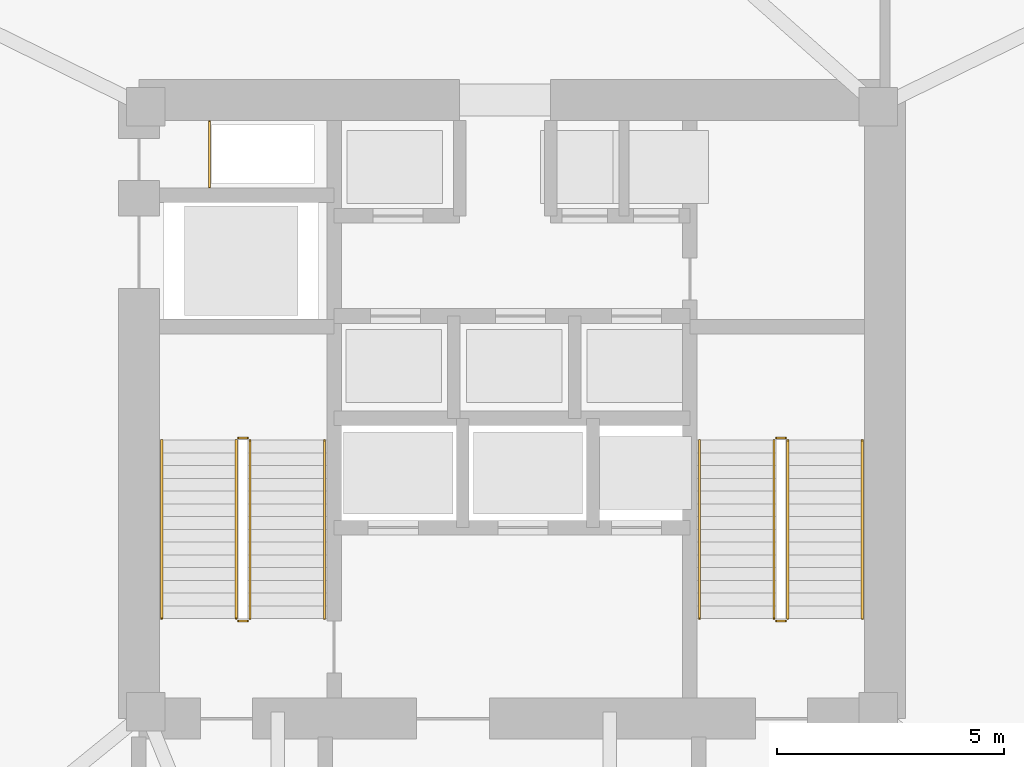
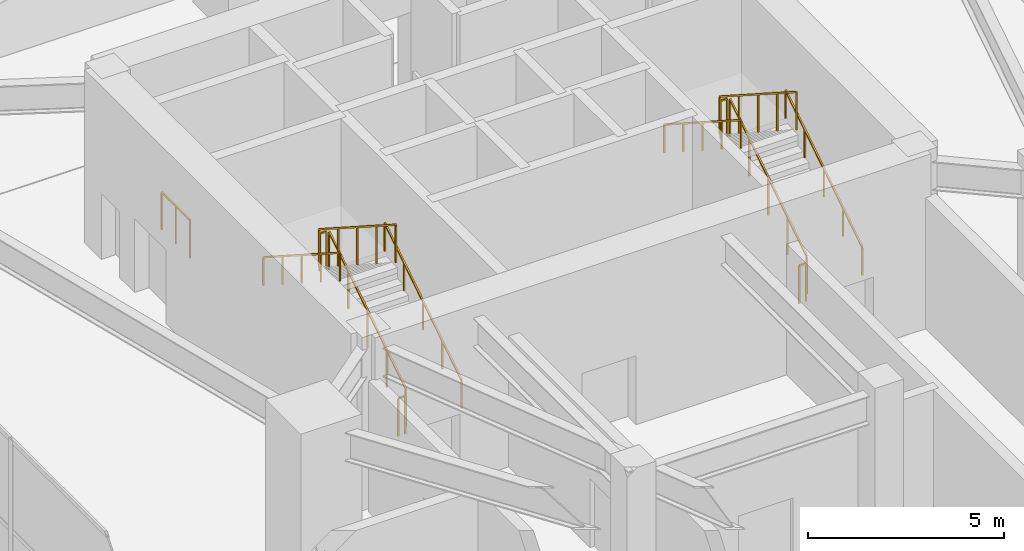
# One storey, part 17 of 19: 13 railings.
"""IFC4 building model written with IfcOpenShell, lengths in metres."""

import ifcopenshell
import ifcopenshell.guid

model = None  # the IFC model being written
_history = None  # IfcOwnerHistory: only IFC2X3 demands one
_inside = {}  # id of a spatial element -> (the spatial element, [elements in it])
_under = {}  # id of a project, library or spatial element -> (it, [spatial elements below it])
_declared = {}  # id of a project -> (the project, [libraries it declares])
_typed = {}  # id of a type object -> (the type object, [elements of that type])
_made_of = {}  # id of a material, layer set ... -> (it, [elements and type objects made of it])


def new_model(schema):
    """Start an empty IFC model of exactly this schema.

    Asked for "IFC4X3", IfcOpenShell would pick the latest addendum, in which some entities
    have other attributes; the version numbers below select the first issue.
    IFC2X3 requires an IfcOwnerHistory on every rooted entity: one is made here for all.
    """
    global model, _history
    if schema == "IFC4X3":
        model = ifcopenshell.file(schema_version=(4, 3, 0, 0))
    else:
        model = ifcopenshell.file(schema=schema)
    _inside.clear()
    _under.clear()
    _declared.clear()
    _typed.clear()
    _made_of.clear()
    _history = None
    if model.schema == "IFC2X3":
        org = make("IfcOrganization", Name="unknown")
        user = make(
            "IfcPersonAndOrganization",
            ThePerson=make("IfcPerson", FamilyName="unknown"),
            TheOrganization=org,
        )
        app = make(
            "IfcApplication",
            ApplicationDeveloper=org,
            Version="unknown",
            ApplicationFullName="unknown",
            ApplicationIdentifier="unknown",
        )
        _history = make(
            "IfcOwnerHistory",
            OwningUser=user,
            OwningApplication=app,
            ChangeAction="ADDED",
            CreationDate=0,
        )
    return model


def make(cls, **values):
    """One entity of the class cls with the attributes given. An attribute that is None is left unset."""
    return model.create_entity(
        cls, **{name: value for name, value in values.items() if value is not None}
    )


def rooted(cls, **values):
    """An entity with a GlobalId (a new one), such as an element, a storey or a relation."""
    return make(cls, GlobalId=ifcopenshell.guid.new(), OwnerHistory=_history, **values)


def si_unit(unit_type, name, prefix=None):
    """IfcSIUnit, for example si_unit("LENGTHUNIT", "METRE", prefix="MILLI")."""
    return make("IfcSIUnit", UnitType=unit_type, Prefix=prefix, Name=name)


def assignment(units):
    """IfcUnitAssignment: the units of a project."""
    return None if units is None else make("IfcUnitAssignment", Units=units)


def point(xyz):
    """IfcCartesianPoint."""
    return None if xyz is None else make("IfcCartesianPoint", Coordinates=xyz)


def direction(xyz):
    """IfcDirection."""
    return None if xyz is None else make("IfcDirection", DirectionRatios=xyz)


def frame(location, z_axis=None, x_axis=None):
    """IfcAxis2Placement3D, a coordinate frame: its origin and axes. An axis left out is left unset."""
    return make(
        "IfcAxis2Placement3D",
        Location=point(location),
        Axis=direction(z_axis),
        RefDirection=direction(x_axis),
    )


def frame_2d(location, x_axis=None):
    """IfcAxis2Placement2D, a coordinate frame in the plane: its origin and x axis."""
    return make(
        "IfcAxis2Placement2D", Location=point(location), RefDirection=direction(x_axis)
    )


def origin():
    """The frame at (0, 0, 0) with its axes left unset."""
    return frame((0.0, 0.0, 0.0))


def origin_2d():
    """The frame at (0, 0) in the plane with its x axis left unset."""
    return frame_2d((0.0, 0.0))


def place(relative_to, where):
    """IfcLocalPlacement: puts the frame where relative to a parent placement (None: the world)."""
    return make(
        "IfcLocalPlacement", PlacementRelTo=relative_to, RelativePlacement=where
    )


def context(
    kind, dimensions, precision=None, world=None, true_north=None, identifier=None
):
    """IfcGeometricRepresentationContext, for example the 3D "Model" context."""
    return make(
        "IfcGeometricRepresentationContext",
        ContextIdentifier=identifier,
        ContextType=kind,
        CoordinateSpaceDimension=dimensions,
        Precision=precision,
        WorldCoordinateSystem=world,
        TrueNorth=true_north,
    )


def subcontext(parent, identifier, kind, view, scale=None):
    """IfcGeometricRepresentationSubContext, for example "Body" below "Model"."""
    return make(
        "IfcGeometricRepresentationSubContext",
        ContextIdentifier=identifier,
        ContextType=kind,
        ParentContext=parent,
        TargetScale=scale,
        TargetView=view,
    )


def project(units=None, contexts=None):
    """IfcProject with its units and contexts."""
    return rooted(
        "IfcProject",
        Name="project",
        RepresentationContexts=contexts,
        UnitsInContext=assignment(units),
    )


def spatial(cls, under=None, at=None, **own):
    """A site, building, storey or space (cls), placed at a placement, below another one or the project."""
    s = rooted(cls, ObjectPlacement=at, **own)
    if under is not None:
        _under.setdefault(under.id(), (under, []))[1].append(s)
    return s


def profile(cls, at=None, kind="AREA", **sizes):
    """A parametric profile (cls). Its sizes go by their IFC names, for example OverallWidth=200.0."""
    return make(cls, ProfileType=kind, Position=at, **sizes)


def rectangle(**sizes):
    """IfcRectangleProfileDef."""
    return profile("IfcRectangleProfileDef", **sizes)


def extrude(swept, where, along, depth):
    """IfcExtrudedAreaSolid: the profile swept, set in the frame where, extruded along a direction by depth."""
    return make(
        "IfcExtrudedAreaSolid",
        SweptArea=swept,
        Position=where,
        ExtrudedDirection=direction(along),
        Depth=depth,
    )


def shape(context_of_items, identifier, shape_type, items):
    """IfcShapeRepresentation: the items that make up one representation, for example the "Body"."""
    return make(
        "IfcShapeRepresentation",
        ContextOfItems=context_of_items,
        RepresentationIdentifier=identifier,
        RepresentationType=shape_type,
        Items=items,
    )


def material(Name=None, Category=None):
    """IfcMaterial."""
    return make("IfcMaterial", Name=Name, Category=Category)


def made_of(thing, what):
    """Note that an element or type object is made of a material, layer set ...; save() writes the relation."""
    if what is not None:
        _made_of.setdefault(what.id(), (what, []))[1].append(thing)
    return thing


def type_object(cls, material=None, **own):
    """A type object (cls), such as IfcWallType, which elements share."""
    return made_of(rooted(cls, **own), material)


def element(
    cls,
    number,
    at=None,
    inside=None,
    cuts=None,
    type_object=None,
    material=None,
    context=None,
    identifier="Body",
    shape_type=None,
    held_by="IfcProductDefinitionShape",
    body=None,
    shapes=None,
    **own,
):
    """One element of the class cls, such as IfcWall. Its Tag is "e" and its number.

    at: its placement. inside: the storey or other place that contains it. cuts: it is an
    opening in that element (IfcRelVoidsElement). A single representation is given by context,
    identifier, shape_type and body (its items); several are given by shapes. held_by: the class
    of the entity that holds the representations. save() writes the other relations.
    """
    e = rooted(cls, Tag="e%d" % number, ObjectPlacement=at, **own)
    if body is not None:
        shapes = [shape(context, identifier, shape_type, body)]
    if shapes is not None:
        e.Representation = make(held_by, Representations=shapes)
    if inside is not None:
        _inside.setdefault(inside.id(), (inside, []))[1].append(e)
    if cuts is not None:
        rooted(
            "IfcRelVoidsElement", RelatingBuildingElement=cuts, RelatedOpeningElement=e
        )
    if type_object is not None:
        _typed.setdefault(type_object.id(), (type_object, []))[1].append(e)
    return made_of(e, material)


def aggregate(whole, parts):
    """IfcRelAggregates: a whole, such as a stair, and the parts it consists of."""
    return rooted("IfcRelAggregates", RelatingObject=whole, RelatedObjects=parts)


def save(model, path):
    """Write the relations noted so far, then the file.

    IfcRelAggregates (storeys below a building ...), IfcRelContainedInSpatialStructure (elements
    in a storey), IfcRelDefinesByType, IfcRelAssociatesMaterial and IfcRelDeclares: one each for
    every whole, place, type object, material and project.
    """
    for whole, parts in _under.values():
        aggregate(whole, parts)
    for where, things in _inside.values():
        rooted(
            "IfcRelContainedInSpatialStructure",
            RelatedElements=things,
            RelatingStructure=where,
        )
    for kind, things in _typed.values():
        rooted("IfcRelDefinesByType", RelatedObjects=things, RelatingType=kind)
    for what, things in _made_of.values():
        rooted("IfcRelAssociatesMaterial", RelatedObjects=things, RelatingMaterial=what)
    for by, libraries in _declared.values():
        rooted("IfcRelDeclares", RelatingContext=by, RelatedDefinitions=libraries)
    model.write(path)


model = new_model("IFC4")

# Units and contexts
model_context = context("Model", 3, precision=1e-05, world=origin(), true_north=direction((0.0, 1.0)))
body_context = subcontext(model_context, "Body", "Model", "MODEL_VIEW")
ifc_project = project(units=[si_unit("LENGTHUNIT", "METRE"), si_unit("AREAUNIT", "SQUARE_METRE"), si_unit("VOLUMEUNIT", "CUBIC_METRE"), si_unit("PLANEANGLEUNIT", "RADIAN"), si_unit("MASSUNIT", "GRAM", prefix="KILO")], contexts=[model_context])

# Site, building, storey
site_placement = place(None, origin())
site = spatial("IfcSite", under=ifc_project, at=site_placement, CompositionType="ELEMENT")
building_placement = place(site_placement, origin())
building = spatial("IfcBuilding", under=site, at=building_placement, Name="Talyreon Biosciences Tower", CompositionType="ELEMENT")
storey_placement = place(building_placement, origin())
storey = spatial("IfcBuildingStorey", under=building, at=storey_placement, Name="L00", CompositionType="ELEMENT", Elevation=0.0)

# Railings
ifc_material_1 = material(Name="Brushed stainless-steel tubular handrail", Category="steel")
railing_type_1 = type_object("IfcRailingType", Name="StairWallHandrail_900", PredefinedType="HANDRAIL", material=ifc_material_1)
railing_1_placement = place(storey_placement, frame((61.8798828125, 63.39990234375, 0.179931640625)))
element("IfcRailing", 1, at=railing_1_placement, inside=storey, type_object=railing_type_1, Name="L00 ST-1 stair handrail 1", PredefinedType="HANDRAIL", context=body_context, shape_type="SweptSolid", body=[
    extrude(rectangle(XDim=0.048095703125, YDim=0.048095703125, at=origin_2d()), frame((0.0, 0.0, 0.8759765625), z_axis=(0.0, 0.841186985886, 0.540744352514), x_axis=(-1.0, 0.0, 0.0)), (0.0, 0.0, 1.0), 4.660400390625),
    extrude(rectangle(XDim=0.0419921875, YDim=0.0419921875, at=origin_2d()), origin(), (0.0, 0.0, 1.0), 0.851806640625),
    extrude(rectangle(XDim=0.0419921875, YDim=0.0419921875, at=origin_2d()), frame((0.0, 0.97998046875, 0.6298828125)), (0.0, 0.0, 1.0), 0.851806640625),
    extrude(rectangle(XDim=0.0419921875, YDim=0.0419921875, at=origin_2d()), frame((0.0, 1.9599609375, 1.260009765625)), (0.0, 0.0, 1.0), 0.851806640625),
    extrude(rectangle(XDim=0.0419921875, YDim=0.0419921875, at=origin_2d()), frame((0.0, 2.940185546875, 1.89013671875)), (0.0, 0.0, 1.0), 0.851806640625),
    extrude(rectangle(XDim=0.0419921875, YDim=0.0419921875, at=origin_2d()), frame((0.0, 3.920166015625, 2.52001953125)), (0.0, 0.0, 1.0), 0.851806640625),
])
railing_2_placement = place(storey_placement, frame((58.300048828125, 67.320068359375, 2.8798828125)))
element("IfcRailing", 2, at=railing_2_placement, inside=storey, type_object=railing_type_1, Name="L00 ST-1 stair handrail 2", PredefinedType="HANDRAIL", context=body_context, shape_type="SweptSolid", body=[
    extrude(rectangle(XDim=0.048095703125, YDim=0.048095703125, at=origin_2d()), frame((0.0, 0.0, 0.8759765625), z_axis=(0.0, -0.841186985886, 0.540744352514), x_axis=(1.0, 0.0, 0.0)), (0.0, 0.0, 1.0), 4.660400390625),
    extrude(rectangle(XDim=0.0419921875, YDim=0.0419921875, at=origin_2d()), origin(), (0.0, 0.0, 1.0), 0.851806640625),
    extrude(rectangle(XDim=0.0419921875, YDim=0.0419921875, at=origin_2d()), frame((0.0, -0.97998046875, 0.6298828125)), (0.0, 0.0, 1.0), 0.851806640625),
    extrude(rectangle(XDim=0.0419921875, YDim=0.0419921875, at=origin_2d()), frame((0.0, -1.9599609375, 1.260009765625)), (0.0, 0.0, 1.0), 0.851806640625),
    extrude(rectangle(XDim=0.0419921875, YDim=0.0419921875, at=origin_2d()), frame((0.0, -2.940185546875, 1.89013671875)), (0.0, 0.0, 1.0), 0.851806640625),
    extrude(rectangle(XDim=0.0419921875, YDim=0.0419921875, at=origin_2d()), frame((0.0, -3.920166015625, 2.52001953125)), (0.0, 0.0, 1.0), 0.851806640625),
])
railing_3_placement = place(storey_placement, frame((73.699951171875, 63.39990234375, 0.179931640625)))
element("IfcRailing", 3, at=railing_3_placement, inside=storey, type_object=railing_type_1, Name="L00 ST-2 stair handrail 1", PredefinedType="HANDRAIL", context=body_context, shape_type="SweptSolid", body=[
    extrude(rectangle(XDim=0.048095703125, YDim=0.048095703125, at=origin_2d()), frame((0.0, 0.0, 0.8759765625), z_axis=(0.0, 0.841186985886, 0.540744352514), x_axis=(-1.0, 0.0, 0.0)), (0.0, 0.0, 1.0), 4.660400390625),
    extrude(rectangle(XDim=0.0419921875, YDim=0.0419921875, at=origin_2d()), origin(), (0.0, 0.0, 1.0), 0.851806640625),
    extrude(rectangle(XDim=0.0419921875, YDim=0.0419921875, at=origin_2d()), frame((0.0, 0.97998046875, 0.6298828125)), (0.0, 0.0, 1.0), 0.851806640625),
    extrude(rectangle(XDim=0.0419921875, YDim=0.0419921875, at=origin_2d()), frame((0.0, 1.9599609375, 1.260009765625)), (0.0, 0.0, 1.0), 0.851806640625),
    extrude(rectangle(XDim=0.0419921875, YDim=0.0419921875, at=origin_2d()), frame((0.0, 2.940185546875, 1.89013671875)), (0.0, 0.0, 1.0), 0.851806640625),
    extrude(rectangle(XDim=0.0419921875, YDim=0.0419921875, at=origin_2d()), frame((0.0, 3.920166015625, 2.52001953125)), (0.0, 0.0, 1.0), 0.851806640625),
])
railing_4_placement = place(storey_placement, frame((70.1201171875, 67.320068359375, 2.8798828125)))
element("IfcRailing", 4, at=railing_4_placement, inside=storey, type_object=railing_type_1, Name="L00 ST-2 stair handrail 2", PredefinedType="HANDRAIL", context=body_context, shape_type="SweptSolid", body=[
    extrude(rectangle(XDim=0.048095703125, YDim=0.048095703125, at=origin_2d()), frame((0.0, 0.0, 0.8759765625), z_axis=(0.0, -0.841186985886, 0.540744352514), x_axis=(1.0, 0.0, 0.0)), (0.0, 0.0, 1.0), 4.660400390625),
    extrude(rectangle(XDim=0.0419921875, YDim=0.0419921875, at=origin_2d()), origin(), (0.0, 0.0, 1.0), 0.851806640625),
    extrude(rectangle(XDim=0.0419921875, YDim=0.0419921875, at=origin_2d()), frame((0.0, -0.97998046875, 0.6298828125)), (0.0, 0.0, 1.0), 0.851806640625),
    extrude(rectangle(XDim=0.0419921875, YDim=0.0419921875, at=origin_2d()), frame((0.0, -1.9599609375, 1.260009765625)), (0.0, 0.0, 1.0), 0.851806640625),
    extrude(rectangle(XDim=0.0419921875, YDim=0.0419921875, at=origin_2d()), frame((0.0, -2.940185546875, 1.89013671875)), (0.0, 0.0, 1.0), 0.851806640625),
    extrude(rectangle(XDim=0.0419921875, YDim=0.0419921875, at=origin_2d()), frame((0.0, -3.920166015625, 2.52001953125)), (0.0, 0.0, 1.0), 0.851806640625),
])
ifc_material_2 = material(Name="Painted galvanised steel post-and-rail balustrade", Category="steel")
railing_type_2 = type_object("IfcRailingType", Name="TerraceStairGuard_1200", PredefinedType="GUARDRAIL", material=ifc_material_2)
railing_5_placement = place(storey_placement, frame((60.239990234375, 63.39990234375, 0.179931640625)))
element("IfcRailing", 5, at=railing_5_placement, inside=storey, type_object=railing_type_2, Name="L00 ST-1 stair guard 1", PredefinedType="GUARDRAIL", context=body_context, shape_type="SweptSolid", body=[
    extrude(rectangle(XDim=0.048095703125, YDim=0.048095703125, at=origin_2d()), frame((0.0, 0.0, 1.17578125), z_axis=(0.0, 0.841186985886, 0.540744352514), x_axis=(-1.0, 0.0, 0.0)), (0.0, 0.0, 1.0), 4.660400390625),
    extrude(rectangle(XDim=0.0419921875, YDim=0.0419921875, at=origin_2d()), origin(), (0.0, 0.0, 1.0), 1.15185546875),
    extrude(rectangle(XDim=0.0419921875, YDim=0.0419921875, at=origin_2d()), frame((0.0, 0.97998046875, 0.6298828125)), (0.0, 0.0, 1.0), 1.15185546875),
    extrude(rectangle(XDim=0.0419921875, YDim=0.0419921875, at=origin_2d()), frame((0.0, 1.9599609375, 1.260009765625)), (0.0, 0.0, 1.0), 1.15185546875),
    extrude(rectangle(XDim=0.0419921875, YDim=0.0419921875, at=origin_2d()), frame((0.0, 2.940185546875, 1.89013671875)), (0.0, 0.0, 1.0), 1.15185546875),
    extrude(rectangle(XDim=0.0419921875, YDim=0.0419921875, at=origin_2d()), frame((0.0, 3.920166015625, 2.52001953125)), (0.0, 0.0, 1.0), 1.15185546875),
])
railing_6_placement = place(storey_placement, frame((60.18994140625, 67.3701171875, 2.699951171875)))
element("IfcRailing", 6, at=railing_6_placement, inside=storey, type_object=railing_type_2, Name="L00 ST-1 stair guard 2", PredefinedType="GUARDRAIL", context=body_context, shape_type="SweptSolid", body=[
    extrude(rectangle(XDim=0.048095703125, YDim=0.048095703125, at=origin_2d()), frame((0.0, 0.0, 1.17578125), z_axis=(-1.0, 0.0, 0.0), x_axis=(0.0, -1.0, 0.0)), (0.0, 0.0, 1.0), 0.199951171875),
    extrude(rectangle(XDim=0.0419921875, YDim=0.0419921875, at=origin_2d()), origin(), (0.0, 0.0, 1.0), 1.15185546875),
    extrude(rectangle(XDim=0.0419921875, YDim=0.0419921875, at=origin_2d()), frame((-0.199951171875, 0.0, 0.0)), (0.0, 0.0, 1.0), 1.15185546875),
])
railing_7_placement = place(storey_placement, frame((59.93994140625, 67.320068359375, 2.8798828125)))
element("IfcRailing", 7, at=railing_7_placement, inside=storey, type_object=railing_type_2, Name="L00 ST-1 stair guard 3", PredefinedType="GUARDRAIL", context=body_context, shape_type="SweptSolid", body=[
    extrude(rectangle(XDim=0.048095703125, YDim=0.048095703125, at=origin_2d()), frame((0.0, 0.0, 1.17578125), z_axis=(0.0, -0.841186985886, 0.540744352514), x_axis=(1.0, 0.0, 0.0)), (0.0, 0.0, 1.0), 4.660400390625),
    extrude(rectangle(XDim=0.0419921875, YDim=0.0419921875, at=origin_2d()), origin(), (0.0, 0.0, 1.0), 1.15185546875),
    extrude(rectangle(XDim=0.0419921875, YDim=0.0419921875, at=origin_2d()), frame((0.0, -0.97998046875, 0.6298828125)), (0.0, 0.0, 1.0), 1.15185546875),
    extrude(rectangle(XDim=0.0419921875, YDim=0.0419921875, at=origin_2d()), frame((0.0, -1.9599609375, 1.260009765625)), (0.0, 0.0, 1.0), 1.15185546875),
    extrude(rectangle(XDim=0.0419921875, YDim=0.0419921875, at=origin_2d()), frame((0.0, -2.940185546875, 1.89013671875)), (0.0, 0.0, 1.0), 1.15185546875),
    extrude(rectangle(XDim=0.0419921875, YDim=0.0419921875, at=origin_2d()), frame((0.0, -3.920166015625, 2.52001953125)), (0.0, 0.0, 1.0), 1.15185546875),
])
railing_8_placement = place(storey_placement, frame((60.18994140625, 63.35009765625, 0.0)))
element("IfcRailing", 8, at=railing_8_placement, inside=storey, type_object=railing_type_2, Name="L00 ST-1 stair guard 4", PredefinedType="GUARDRAIL", context=body_context, shape_type="SweptSolid", body=[
    extrude(rectangle(XDim=0.048095703125, YDim=0.048095703125, at=origin_2d()), frame((0.0, 0.0, 1.17578125), z_axis=(-1.0, 0.0, 0.0), x_axis=(0.0, -1.0, 0.0)), (0.0, 0.0, 1.0), 0.199951171875),
    extrude(rectangle(XDim=0.0419921875, YDim=0.0419921875, at=origin_2d()), origin(), (0.0, 0.0, 1.0), 1.15185546875),
    extrude(rectangle(XDim=0.0419921875, YDim=0.0419921875, at=origin_2d()), frame((-0.199951171875, 0.0, 0.0)), (0.0, 0.0, 1.0), 1.15185546875),
])
railing_9_placement = place(storey_placement, frame((72.06005859375, 63.39990234375, 0.179931640625)))
element("IfcRailing", 9, at=railing_9_placement, inside=storey, type_object=railing_type_2, Name="L00 ST-2 stair guard 1", PredefinedType="GUARDRAIL", context=body_context, shape_type="SweptSolid", body=[
    extrude(rectangle(XDim=0.048095703125, YDim=0.048095703125, at=origin_2d()), frame((0.0, 0.0, 1.17578125), z_axis=(0.0, 0.841186985886, 0.540744352514), x_axis=(-1.0, 0.0, 0.0)), (0.0, 0.0, 1.0), 4.660400390625),
    extrude(rectangle(XDim=0.0419921875, YDim=0.0419921875, at=origin_2d()), origin(), (0.0, 0.0, 1.0), 1.15185546875),
    extrude(rectangle(XDim=0.0419921875, YDim=0.0419921875, at=origin_2d()), frame((0.0, 0.97998046875, 0.6298828125)), (0.0, 0.0, 1.0), 1.15185546875),
    extrude(rectangle(XDim=0.0419921875, YDim=0.0419921875, at=origin_2d()), frame((0.0, 1.9599609375, 1.260009765625)), (0.0, 0.0, 1.0), 1.15185546875),
    extrude(rectangle(XDim=0.0419921875, YDim=0.0419921875, at=origin_2d()), frame((0.0, 2.940185546875, 1.89013671875)), (0.0, 0.0, 1.0), 1.15185546875),
    extrude(rectangle(XDim=0.0419921875, YDim=0.0419921875, at=origin_2d()), frame((0.0, 3.920166015625, 2.52001953125)), (0.0, 0.0, 1.0), 1.15185546875),
])
railing_10_placement = place(storey_placement, frame((72.010009765625, 67.3701171875, 2.699951171875)))
element("IfcRailing", 10, at=railing_10_placement, inside=storey, type_object=railing_type_2, Name="L00 ST-2 stair guard 2", PredefinedType="GUARDRAIL", context=body_context, shape_type="SweptSolid", body=[
    extrude(rectangle(XDim=0.048095703125, YDim=0.048095703125, at=origin_2d()), frame((0.0, 0.0, 1.17578125), z_axis=(-1.0, 0.0, 0.0), x_axis=(0.0, -1.0, 0.0)), (0.0, 0.0, 1.0), 0.199951171875),
    extrude(rectangle(XDim=0.0419921875, YDim=0.0419921875, at=origin_2d()), origin(), (0.0, 0.0, 1.0), 1.15185546875),
    extrude(rectangle(XDim=0.0419921875, YDim=0.0419921875, at=origin_2d()), frame((-0.199951171875, 0.0, 0.0)), (0.0, 0.0, 1.0), 1.15185546875),
])
railing_11_placement = place(storey_placement, frame((71.760009765625, 67.320068359375, 2.8798828125)))
element("IfcRailing", 11, at=railing_11_placement, inside=storey, type_object=railing_type_2, Name="L00 ST-2 stair guard 3", PredefinedType="GUARDRAIL", context=body_context, shape_type="SweptSolid", body=[
    extrude(rectangle(XDim=0.048095703125, YDim=0.048095703125, at=origin_2d()), frame((0.0, 0.0, 1.17578125), z_axis=(0.0, -0.841186985886, 0.540744352514), x_axis=(1.0, 0.0, 0.0)), (0.0, 0.0, 1.0), 4.660400390625),
    extrude(rectangle(XDim=0.0419921875, YDim=0.0419921875, at=origin_2d()), origin(), (0.0, 0.0, 1.0), 1.15185546875),
    extrude(rectangle(XDim=0.0419921875, YDim=0.0419921875, at=origin_2d()), frame((0.0, -0.97998046875, 0.6298828125)), (0.0, 0.0, 1.0), 1.15185546875),
    extrude(rectangle(XDim=0.0419921875, YDim=0.0419921875, at=origin_2d()), frame((0.0, -1.9599609375, 1.260009765625)), (0.0, 0.0, 1.0), 1.15185546875),
    extrude(rectangle(XDim=0.0419921875, YDim=0.0419921875, at=origin_2d()), frame((0.0, -2.940185546875, 1.89013671875)), (0.0, 0.0, 1.0), 1.15185546875),
    extrude(rectangle(XDim=0.0419921875, YDim=0.0419921875, at=origin_2d()), frame((0.0, -3.920166015625, 2.52001953125)), (0.0, 0.0, 1.0), 1.15185546875),
])
railing_12_placement = place(storey_placement, frame((72.010009765625, 63.35009765625, 0.0)))
element("IfcRailing", 12, at=railing_12_placement, inside=storey, type_object=railing_type_2, Name="L00 ST-2 stair guard 4", PredefinedType="GUARDRAIL", context=body_context, shape_type="SweptSolid", body=[
    extrude(rectangle(XDim=0.048095703125, YDim=0.048095703125, at=origin_2d()), frame((0.0, 0.0, 1.17578125), z_axis=(-1.0, 0.0, 0.0), x_axis=(0.0, -1.0, 0.0)), (0.0, 0.0, 1.0), 0.199951171875),
    extrude(rectangle(XDim=0.0419921875, YDim=0.0419921875, at=origin_2d()), origin(), (0.0, 0.0, 1.0), 1.15185546875),
    extrude(rectangle(XDim=0.0419921875, YDim=0.0419921875, at=origin_2d()), frame((-0.199951171875, 0.0, 0.0)), (0.0, 0.0, 1.0), 1.15185546875),
])
railing_13_placement = place(storey_placement, frame((59.35009765625, 72.8798828125, 0.0)))
element("IfcRailing", 13, at=railing_13_placement, inside=storey, type_object=railing_type_2, Name="L00 Exhaust Riser Maintenance Guardrail", PredefinedType="GUARDRAIL", context=body_context, shape_type="SweptSolid", body=[
    extrude(rectangle(XDim=0.048095703125, YDim=0.048095703125, at=origin_2d()), frame((0.0, 0.0, 1.17578125), z_axis=(0.0, 1.0, 0.0), x_axis=(-1.0, 0.0, 0.0)), (0.0, 0.0, 1.0), 1.4501953125),
    extrude(rectangle(XDim=0.0419921875, YDim=0.0419921875, at=origin_2d()), origin(), (0.0, 0.0, 1.0), 1.15185546875),
    extrude(rectangle(XDim=0.0419921875, YDim=0.0419921875, at=origin_2d()), frame((0.0, 0.72509765625, 0.0)), (0.0, 0.0, 1.0), 1.15185546875),
    extrude(rectangle(XDim=0.0419921875, YDim=0.0419921875, at=origin_2d()), frame((0.0, 1.4501953125, 0.0)), (0.0, 0.0, 1.0), 1.15185546875),
])

save(model, "model.ifc")
